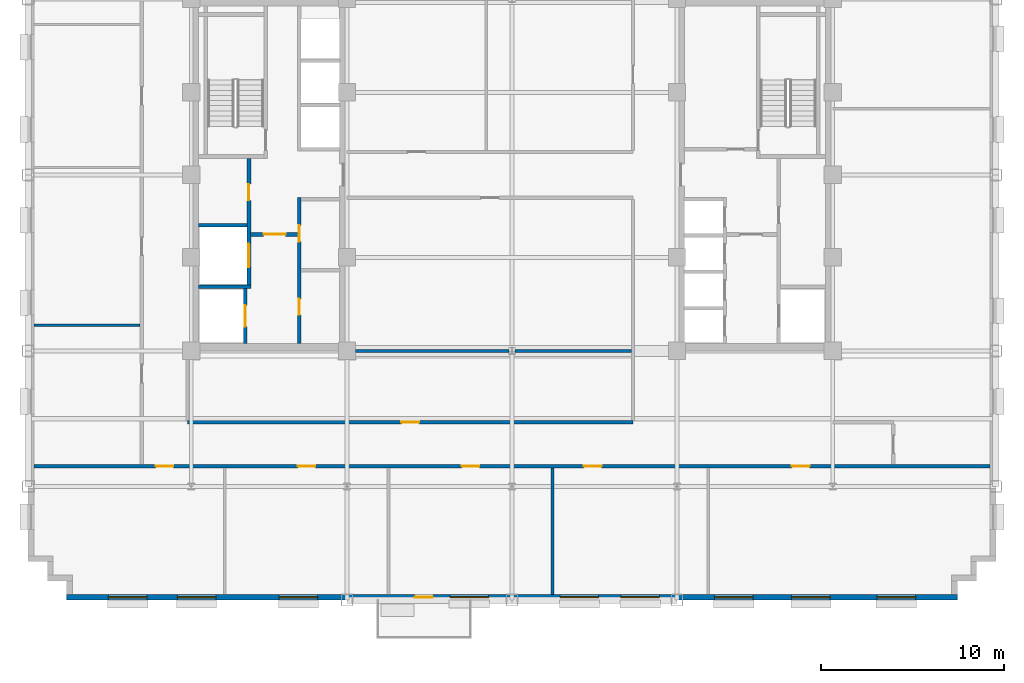
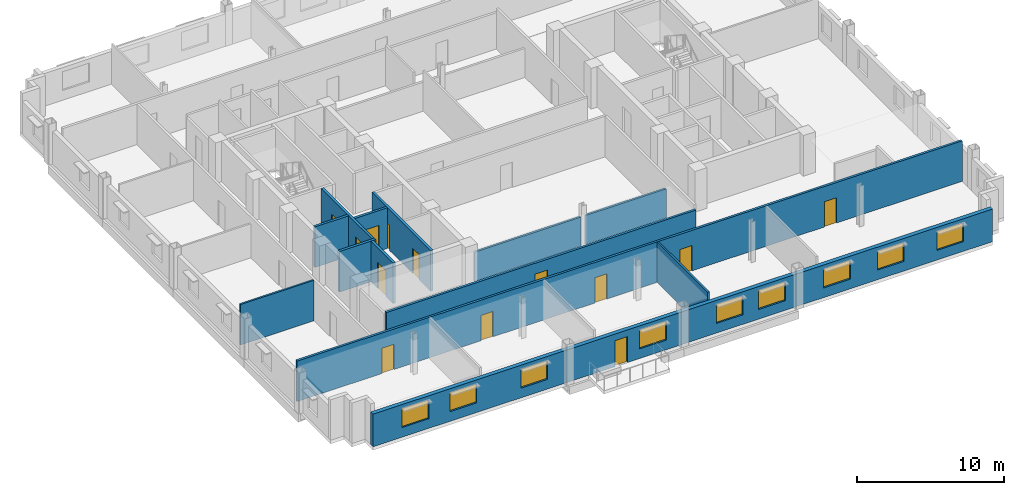
# One storey, part 6 of 14: 13 doors, 13 walls, 9 windows, 22 openings.
"""IFC4 building model written with IfcOpenShell, lengths in metres."""

from ifc_helpers import new_model, si_unit, direction, frame, frame_2d, origin, place, context, subcontext, project, spatial, rectangle, extrude, source, transform, mapped, material, layer, layer_set, type_object, type_shapes, element, fill, save


model = new_model("IFC4")

# Units and contexts
model_context = context("Model", 3, precision=1e-05, world=origin(), true_north=direction((0.0, 1.0)))
body_context = subcontext(model_context, "Body", "Model", "MODEL_VIEW")
ifc_project = project(units=[si_unit("LENGTHUNIT", "METRE"), si_unit("AREAUNIT", "SQUARE_METRE"), si_unit("VOLUMEUNIT", "CUBIC_METRE"), si_unit("PLANEANGLEUNIT", "RADIAN"), si_unit("MASSUNIT", "GRAM", prefix="KILO")], contexts=[model_context])

# Site, building, storey
site_placement = place(None, origin())
site = spatial("IfcSite", under=ifc_project, at=site_placement, CompositionType="ELEMENT")
building_placement = place(site_placement, origin())
building = spatial("IfcBuilding", under=site, at=building_placement, Name="Nuvemarco Arch Tower", CompositionType="ELEMENT")
storey_placement = place(building_placement, frame((0.0, 0.0, 160.35009765625)))
storey = spatial("IfcBuildingStorey", under=building, at=storey_placement, Name="L42", CompositionType="ELEMENT", Elevation=160.35009765625)

# Wall, openings, door, windows
ifc_material_1 = material(Name="Precast concrete C45/55", Category="concrete")
ifc_layer_1 = layer(ifc_material_1, 0.320068359375, Name="EW-MID-320")
ifc_layer_set_1 = layer_set([ifc_layer_1], Name="Precast concrete C45/55")
wall_type_1 = type_object("IfcWallType", Name="EW-MID-320", PredefinedType="STANDARD", material=ifc_layer_set_1)
wall_1_placement = place(storey_placement, frame((-24.300048828125, -23.0400390625, 0.0), z_axis=(0.0, 0.0, 1.0), x_axis=(1.0, 0.0, 0.0)))
wall_1 = element("IfcWall", 1, at=wall_1_placement, inside=storey, type_object=wall_type_1, Name="L42 exterior precast facade wall 1", PredefinedType="STANDARD", context=body_context, shape_type="SweptSolid", body=[
    extrude(rectangle(XDim=48.60009765625, YDim=0.320068359375, at=frame_2d((24.300048828125, 0.0))), origin(), (0.0, 0.0, 1.0), 2.704833984375),
])
opening_1_placement = place(wall_1_placement, frame((19.97998046875, 0.0, 0.0), z_axis=(0.0, 0.0, 1.0), x_axis=(-1.0, 0.0, 0.0)))
opening_1 = element("IfcOpeningElement", 2, at=opening_1_placement, cuts=wall_1, Name="Opening ED-6", PredefinedType="OPENING", context=body_context, shape_type="SweptSolid", body=[
    extrude(rectangle(XDim=0.97998046875, YDim=2.14990234375, at=frame_2d((0.489990234375, 1.074951171875))), frame((0.0, 0.169921875, 0.0), z_axis=(0.0, -1.0, 0.0), x_axis=(1.0, 0.0, 0.0)), (0.0, 0.0, 1.0), 0.340087890625),
])
opening_2_placement = place(wall_1_placement, frame((2.280029296875, 0.0, 0.800048828125)))
opening_2 = element("IfcOpeningElement", 3, at=opening_2_placement, cuts=wall_1, Name="Opening WN-5", PredefinedType="OPENING", context=body_context, shape_type="SweptSolid", body=[
    extrude(rectangle(XDim=2.10009765625, YDim=1.56005859375, at=frame_2d((1.050048828125, 0.780029296875))), frame((0.0, 0.169921875, 0.0), z_axis=(0.0, -1.0, 0.0), x_axis=(1.0, 0.0, 0.0)), (0.0, 0.0, 1.0), 0.340087890625),
])
opening_3_placement = place(wall_1_placement, frame((6.0400390625, 0.0, 0.800048828125)))
opening_3 = element("IfcOpeningElement", 4, at=opening_3_placement, cuts=wall_1, Name="Opening WN-5", PredefinedType="OPENING", context=body_context, shape_type="SweptSolid", body=[
    extrude(rectangle(XDim=2.10009765625, YDim=1.56005859375, at=frame_2d((1.050048828125, 0.780029296875))), frame((0.0, 0.169921875, 0.0), z_axis=(0.0, -1.0, 0.0), x_axis=(1.0, 0.0, 0.0)), (0.0, 0.0, 1.0), 0.340087890625),
])
opening_4_placement = place(wall_1_placement, frame((11.60009765625, 0.0, 0.800048828125)))
opening_4 = element("IfcOpeningElement", 5, at=opening_4_placement, cuts=wall_1, Name="Opening WN-5", PredefinedType="OPENING", context=body_context, shape_type="SweptSolid", body=[
    extrude(rectangle(XDim=2.10009765625, YDim=1.56005859375, at=frame_2d((1.050048828125, 0.780029296875))), frame((0.0, 0.169921875, 0.0), z_axis=(0.0, -1.0, 0.0), x_axis=(1.0, 0.0, 0.0)), (0.0, 0.0, 1.0), 0.340087890625),
])
opening_5_placement = place(wall_1_placement, frame((20.919921875, 0.0, 0.800048828125)))
opening_5 = element("IfcOpeningElement", 6, at=opening_5_placement, cuts=wall_1, Name="Opening WN-5", PredefinedType="OPENING", context=body_context, shape_type="SweptSolid", body=[
    extrude(rectangle(XDim=2.10009765625, YDim=1.56005859375, at=frame_2d((1.050048828125, 0.780029296875))), frame((0.0, 0.169921875, 0.0), z_axis=(0.0, -1.0, 0.0), x_axis=(1.0, 0.0, 0.0)), (0.0, 0.0, 1.0), 0.340087890625),
])
opening_6_placement = place(wall_1_placement, frame((26.929931640625, 0.0, 0.800048828125)))
opening_6 = element("IfcOpeningElement", 7, at=opening_6_placement, cuts=wall_1, Name="Opening WN-5", PredefinedType="OPENING", context=body_context, shape_type="SweptSolid", body=[
    extrude(rectangle(XDim=2.10009765625, YDim=1.56005859375, at=frame_2d((1.050048828125, 0.780029296875))), frame((0.0, 0.169921875, 0.0), z_axis=(0.0, -1.0, 0.0), x_axis=(1.0, 0.0, 0.0)), (0.0, 0.0, 1.0), 0.340087890625),
])
opening_7_placement = place(wall_1_placement, frame((30.239990234375, 0.0, 0.800048828125)))
opening_7 = element("IfcOpeningElement", 8, at=opening_7_placement, cuts=wall_1, Name="Opening WN-5", PredefinedType="OPENING", context=body_context, shape_type="SweptSolid", body=[
    extrude(rectangle(XDim=2.10009765625, YDim=1.56005859375, at=frame_2d((1.050048828125, 0.780029296875))), frame((0.0, 0.169921875, 0.0), z_axis=(0.0, -1.0, 0.0), x_axis=(1.0, 0.0, 0.0)), (0.0, 0.0, 1.0), 0.340087890625),
])
opening_8_placement = place(wall_1_placement, frame((35.35009765625, 0.0, 0.800048828125)))
opening_8 = element("IfcOpeningElement", 9, at=opening_8_placement, cuts=wall_1, Name="Opening WN-5", PredefinedType="OPENING", context=body_context, shape_type="SweptSolid", body=[
    extrude(rectangle(XDim=2.10009765625, YDim=1.56005859375, at=frame_2d((1.050048828125, 0.780029296875))), frame((0.0, 0.169921875, 0.0), z_axis=(0.0, -1.0, 0.0), x_axis=(1.0, 0.0, 0.0)), (0.0, 0.0, 1.0), 0.340087890625),
])
opening_9_placement = place(wall_1_placement, frame((39.56005859375, 0.0, 0.800048828125)))
opening_9 = element("IfcOpeningElement", 10, at=opening_9_placement, cuts=wall_1, Name="Opening WN-5", PredefinedType="OPENING", context=body_context, shape_type="SweptSolid", body=[
    extrude(rectangle(XDim=2.10009765625, YDim=1.56005859375, at=frame_2d((1.050048828125, 0.780029296875))), frame((0.0, 0.169921875, 0.0), z_axis=(0.0, -1.0, 0.0), x_axis=(1.0, 0.0, 0.0)), (0.0, 0.0, 1.0), 0.340087890625),
])
opening_10_placement = place(wall_1_placement, frame((44.219970703125, 0.0, 0.800048828125)))
opening_10 = element("IfcOpeningElement", 11, at=opening_10_placement, cuts=wall_1, Name="Opening WN-5", PredefinedType="OPENING", context=body_context, shape_type="SweptSolid", body=[
    extrude(rectangle(XDim=2.10009765625, YDim=1.56005859375, at=frame_2d((1.050048828125, 0.780029296875))), frame((0.0, 0.169921875, 0.0), z_axis=(0.0, -1.0, 0.0), x_axis=(1.0, 0.0, 0.0)), (0.0, 0.0, 1.0), 0.340087890625),
])
ifc_material_2 = material(Name="Anodised bronze and laminated glass", Category="glass")
door_type_1 = type_object("IfcDoorType", Name="DR-EXT-BALC", OperationType="NOTDEFINED", PredefinedType="DOOR", material=ifc_material_2)
shared_shape_1 = source(origin(), body_context, "Body", "SweptSolid", [
    extrude(rectangle(XDim=0.97998046875, YDim=2.14990234375, at=frame_2d((0.489990234375, 1.074951171875))), frame((0.0, 0.02490234375, 0.0), z_axis=(0.0, -1.0, 0.0), x_axis=(1.0, 0.0, 0.0)), (0.0, 0.0, 1.0), 0.050048828125),
])
type_shapes(door_type_1, [shared_shape_1])
door_1_placement = place(opening_1_placement, origin())
door_1 = element("IfcDoor", 12, at=door_1_placement, inside=storey, type_object=door_type_1, Name="L42 tree balcony access door", OperationType="SINGLE_SWING_RIGHT", OverallHeight=2.14990234375, OverallWidth=0.97998046875, PredefinedType="DOOR", context=body_context, shape_type="MappedRepresentation", body=[
    mapped(shared_shape_1, transform((0.0, 0.0, 0.0), scale=1.0)),
])
fill(opening_1, door_1)
ifc_material_3 = material(Name="Insulated solar-control glass", Category="glass")
window_type = type_object("IfcWindowType", Name="WN-MID-2100x1560", PartitioningType="DOUBLE_PANEL_VERTICAL", PredefinedType="WINDOW", material=ifc_material_3)
shared_shape_2 = source(origin(), body_context, "Body", "SweptSolid", [
    extrude(rectangle(XDim=2.10009765625, YDim=1.56005859375, at=frame_2d((1.050048828125, 0.780029296875))), frame((0.0, 0.030029296875, 0.0), z_axis=(0.0, -1.0, 0.0), x_axis=(1.0, 0.0, 0.0)), (0.0, 0.0, 1.0), 0.06005859375),
])
type_shapes(window_type, [shared_shape_2])
window_1_placement = place(opening_2_placement, origin())
window_1 = element("IfcWindow", 13, at=window_1_placement, inside=storey, type_object=window_type, Name="L42 punched facade window 1", OverallHeight=1.56005859375, OverallWidth=2.10009765625, PartitioningType="SINGLE_PANEL", PredefinedType="WINDOW", context=body_context, shape_type="MappedRepresentation", body=[
    mapped(shared_shape_2, transform((0.0, 0.0, 0.0), scale=1.0)),
])
fill(opening_2, window_1)
window_2_placement = place(opening_3_placement, origin())
window_2 = element("IfcWindow", 14, at=window_2_placement, inside=storey, type_object=window_type, Name="L42 punched facade window 2", OverallHeight=1.56005859375, OverallWidth=2.10009765625, PartitioningType="SINGLE_PANEL", PredefinedType="WINDOW", context=body_context, shape_type="MappedRepresentation", body=[
    mapped(shared_shape_2, transform((0.0, 0.0, 0.0), scale=1.0)),
])
fill(opening_3, window_2)
window_3_placement = place(opening_4_placement, origin())
window_3 = element("IfcWindow", 15, at=window_3_placement, inside=storey, type_object=window_type, Name="L42 punched facade window 3", OverallHeight=1.56005859375, OverallWidth=2.10009765625, PartitioningType="SINGLE_PANEL", PredefinedType="WINDOW", context=body_context, shape_type="MappedRepresentation", body=[
    mapped(shared_shape_2, transform((0.0, 0.0, 0.0), scale=1.0)),
])
fill(opening_4, window_3)
window_4_placement = place(opening_5_placement, origin())
window_4 = element("IfcWindow", 16, at=window_4_placement, inside=storey, type_object=window_type, Name="L42 punched facade window 5", OverallHeight=1.56005859375, OverallWidth=2.10009765625, PartitioningType="SINGLE_PANEL", PredefinedType="WINDOW", context=body_context, shape_type="MappedRepresentation", body=[
    mapped(shared_shape_2, transform((0.0, 0.0, 0.0), scale=1.0)),
])
fill(opening_5, window_4)
window_5_placement = place(opening_6_placement, origin())
window_5 = element("IfcWindow", 17, at=window_5_placement, inside=storey, type_object=window_type, Name="L42 punched facade window 6", OverallHeight=1.56005859375, OverallWidth=2.10009765625, PartitioningType="SINGLE_PANEL", PredefinedType="WINDOW", context=body_context, shape_type="MappedRepresentation", body=[
    mapped(shared_shape_2, transform((0.0, 0.0, 0.0), scale=1.0)),
])
fill(opening_6, window_5)
window_6_placement = place(opening_7_placement, origin())
window_6 = element("IfcWindow", 18, at=window_6_placement, inside=storey, type_object=window_type, Name="L42 punched facade window 7", OverallHeight=1.56005859375, OverallWidth=2.10009765625, PartitioningType="SINGLE_PANEL", PredefinedType="WINDOW", context=body_context, shape_type="MappedRepresentation", body=[
    mapped(shared_shape_2, transform((0.0, 0.0, 0.0), scale=1.0)),
])
fill(opening_7, window_6)
window_7_placement = place(opening_8_placement, origin())
window_7 = element("IfcWindow", 19, at=window_7_placement, inside=storey, type_object=window_type, Name="L42 punched facade window 8", OverallHeight=1.56005859375, OverallWidth=2.10009765625, PartitioningType="SINGLE_PANEL", PredefinedType="WINDOW", context=body_context, shape_type="MappedRepresentation", body=[
    mapped(shared_shape_2, transform((0.0, 0.0, 0.0), scale=1.0)),
])
fill(opening_8, window_7)
window_8_placement = place(opening_9_placement, origin())
window_8 = element("IfcWindow", 20, at=window_8_placement, inside=storey, type_object=window_type, Name="L42 punched facade window 9", OverallHeight=1.56005859375, OverallWidth=2.10009765625, PartitioningType="SINGLE_PANEL", PredefinedType="WINDOW", context=body_context, shape_type="MappedRepresentation", body=[
    mapped(shared_shape_2, transform((0.0, 0.0, 0.0), scale=1.0)),
])
fill(opening_9, window_8)
window_9_placement = place(opening_10_placement, origin())
window_9 = element("IfcWindow", 21, at=window_9_placement, inside=storey, type_object=window_type, Name="L42 punched facade window 10", OverallHeight=1.56005859375, OverallWidth=2.10009765625, PartitioningType="SINGLE_PANEL", PredefinedType="WINDOW", context=body_context, shape_type="MappedRepresentation", body=[
    mapped(shared_shape_2, transform((0.0, 0.0, 0.0), scale=1.0)),
])
fill(opening_10, window_9)

# Wall, openings, doors
ifc_material_4 = material(Name="Fire-rated gypsum drywall partition")
ifc_layer_2 = layer(ifc_material_4, 0.179931640625, Name="WL-CORR-180")
ifc_layer_set_2 = layer_set([ifc_layer_2], Name="Fire-rated gypsum drywall partition")
wall_type_2 = type_object("IfcWallType", Name="WL-CORR-180", PredefinedType="PARTITIONING", material=ifc_layer_set_2)
wall_2_placement = place(storey_placement, frame((-26.080078125, -15.89990234375, 0.0), z_axis=(0.0, 0.0, 1.0), x_axis=(1.0, 0.0, 0.0)))
wall_2 = element("IfcWall", 22, at=wall_2_placement, inside=storey, type_object=wall_type_2, Name="L42 interior wall IW-L42-001", PredefinedType="PARTITIONING", context=body_context, shape_type="SweptSolid", body=[
    extrude(rectangle(XDim=52.16015625, YDim=0.179931640625, at=frame_2d((26.080078125, 0.0))), origin(), (0.0, 0.0, 1.0), 3.35986328125),
])
opening_11_placement = place(wall_2_placement, frame((41.35009765625, 0.0, 0.0)))
opening_11 = element("IfcOpeningElement", 23, at=opening_11_placement, cuts=wall_2, Name="Opening FD-5", PredefinedType="OPENING", context=body_context, shape_type="SweptSolid", body=[
    extrude(rectangle(XDim=0.9599609375, YDim=2.10009765625, at=frame_2d((0.47998046875, 1.050048828125))), frame((0.0, 0.099853515625, 0.0), z_axis=(0.0, -1.0, 0.0), x_axis=(1.0, 0.0, 0.0)), (0.0, 0.0, 1.0), 0.199951171875),
])
opening_12_placement = place(wall_2_placement, frame((23.340087890625, 0.0, 0.0)))
opening_12 = element("IfcOpeningElement", 24, at=opening_12_placement, cuts=wall_2, Name="Opening FD-5", PredefinedType="OPENING", context=body_context, shape_type="SweptSolid", body=[
    extrude(rectangle(XDim=0.9599609375, YDim=2.10009765625, at=frame_2d((0.47998046875, 1.050048828125))), frame((0.0, 0.099853515625, 0.0), z_axis=(0.0, -1.0, 0.0), x_axis=(1.0, 0.0, 0.0)), (0.0, 0.0, 1.0), 0.199951171875),
])
opening_13_placement = place(wall_2_placement, frame((14.39990234375, 0.0, 0.0)))
opening_13 = element("IfcOpeningElement", 25, at=opening_13_placement, cuts=wall_2, Name="Opening FD-5", PredefinedType="OPENING", context=body_context, shape_type="SweptSolid", body=[
    extrude(rectangle(XDim=0.9599609375, YDim=2.10009765625, at=frame_2d((0.47998046875, 1.050048828125))), frame((0.0, 0.099853515625, 0.0), z_axis=(0.0, -1.0, 0.0), x_axis=(1.0, 0.0, 0.0)), (0.0, 0.0, 1.0), 0.199951171875),
])
opening_14_placement = place(wall_2_placement, frame((30.0048828125, 0.0, 0.0)))
opening_14 = element("IfcOpeningElement", 26, at=opening_14_placement, cuts=wall_2, Name="Opening FD-5", PredefinedType="OPENING", context=body_context, shape_type="SweptSolid", body=[
    extrude(rectangle(XDim=0.9599609375, YDim=2.10009765625, at=frame_2d((0.47998046875, 1.050048828125))), frame((0.0, 0.099853515625, 0.0), z_axis=(0.0, -1.0, 0.0), x_axis=(1.0, 0.0, 0.0)), (0.0, 0.0, 1.0), 0.199951171875),
])
opening_15_placement = place(wall_2_placement, frame((6.64990234375, 0.0, 0.0)))
opening_15 = element("IfcOpeningElement", 27, at=opening_15_placement, cuts=wall_2, Name="Opening FD-5", PredefinedType="OPENING", context=body_context, shape_type="SweptSolid", body=[
    extrude(rectangle(XDim=0.9599609375, YDim=2.10009765625, at=frame_2d((0.47998046875, 1.050048828125))), frame((0.0, 0.099853515625, 0.0), z_axis=(0.0, -1.0, 0.0), x_axis=(1.0, 0.0, 0.0)), (0.0, 0.0, 1.0), 0.199951171875),
])
ifc_material_5 = material(Name="Timber fire door", Category="wood")
door_type_2 = type_object("IfcDoorType", Name="DR-CORR-FD", OperationType="NOTDEFINED", PredefinedType="DOOR", material=ifc_material_5)
shared_shape_3 = source(origin(), body_context, "Body", "SweptSolid", [
    extrude(rectangle(XDim=0.9599609375, YDim=2.10009765625, at=frame_2d((0.47998046875, 1.050048828125))), frame((0.0, 0.02490234375, 0.0), z_axis=(0.0, -1.0, 0.0), x_axis=(1.0, 0.0, 0.0)), (0.0, 0.0, 1.0), 0.050048828125),
])
type_shapes(door_type_2, [shared_shape_3])
door_2_placement = place(opening_11_placement, origin())
door_2 = element("IfcDoor", 28, at=door_2_placement, inside=storey, type_object=door_type_2, Name="L42 door DR-L42-S_5", OperationType="SINGLE_SWING_RIGHT", OverallHeight=2.10009765625, OverallWidth=0.9599609375, PredefinedType="DOOR", context=body_context, shape_type="MappedRepresentation", body=[
    mapped(shared_shape_3, transform((0.0, 0.0, 0.0), scale=1.0)),
])
fill(opening_11, door_2)
door_3_placement = place(opening_12_placement, origin())
door_3 = element("IfcDoor", 29, at=door_3_placement, inside=storey, type_object=door_type_2, Name="L42 door DR-L42-S_3", OperationType="SINGLE_SWING_LEFT", OverallHeight=2.10009765625, OverallWidth=0.9599609375, PredefinedType="DOOR", context=body_context, shape_type="MappedRepresentation", body=[
    mapped(shared_shape_3, transform((0.0, 0.0, 0.0), scale=1.0)),
])
fill(opening_12, door_3)
door_4_placement = place(opening_13_placement, origin())
door_4 = element("IfcDoor", 30, at=door_4_placement, inside=storey, type_object=door_type_2, Name="L42 door DR-L42-S_2", OperationType="SINGLE_SWING_RIGHT", OverallHeight=2.10009765625, OverallWidth=0.9599609375, PredefinedType="DOOR", context=body_context, shape_type="MappedRepresentation", body=[
    mapped(shared_shape_3, transform((0.0, 0.0, 0.0), scale=1.0)),
])
fill(opening_13, door_4)
door_5_placement = place(opening_14_placement, origin())
door_5 = element("IfcDoor", 31, at=door_5_placement, inside=storey, type_object=door_type_2, Name="L42 door DR-L42-S_4", OperationType="SINGLE_SWING_LEFT", OverallHeight=2.10009765625, OverallWidth=0.9599609375, PredefinedType="DOOR", context=body_context, shape_type="MappedRepresentation", body=[
    mapped(shared_shape_3, transform((0.0, 0.0, 0.0), scale=1.0)),
])
fill(opening_14, door_5)
door_6_placement = place(opening_15_placement, origin())
door_6 = element("IfcDoor", 32, at=door_6_placement, inside=storey, type_object=door_type_2, Name="L42 door DR-L42-S_1", OperationType="SINGLE_SWING_RIGHT", OverallHeight=2.10009765625, OverallWidth=0.9599609375, PredefinedType="DOOR", context=body_context, shape_type="MappedRepresentation", body=[
    mapped(shared_shape_3, transform((0.0, 0.0, 0.0), scale=1.0)),
])
fill(opening_15, door_6)

# Wall, opening, door
wall_3_placement = place(storey_placement, frame((-17.699951171875, -13.5, 0.0), z_axis=(0.0, 0.0, 1.0), x_axis=(1.0, 0.0, 0.0)))
wall_3 = element("IfcWall", 33, at=wall_3_placement, inside=storey, type_object=wall_type_2, Name="L42 interior wall IW-L42-002", PredefinedType="PARTITIONING", context=body_context, shape_type="SweptSolid", body=[
    extrude(rectangle(XDim=24.300048828125, YDim=0.179931640625, at=frame_2d((12.14990234375, 0.0))), origin(), (0.0, 0.0, 1.0), 2.997802734375),
])
opening_16_placement = place(wall_3_placement, frame((11.669921875, 0.0, 0.0)))
opening_16 = element("IfcOpeningElement", 34, at=opening_16_placement, cuts=wall_3, Name="Opening FD-5", PredefinedType="OPENING", context=body_context, shape_type="SweptSolid", body=[
    extrude(rectangle(XDim=0.9599609375, YDim=2.10009765625, at=frame_2d((0.47998046875, 1.050048828125))), frame((0.0, 0.099853515625, 0.0), z_axis=(0.0, -1.0, 0.0), x_axis=(1.0, 0.0, 0.0)), (0.0, 0.0, 1.0), 0.199951171875),
])
door_7_placement = place(opening_16_placement, origin())
door_7 = element("IfcDoor", 35, at=door_7_placement, inside=storey, type_object=door_type_2, Name="L42 door DR-L42-IN_S1", OperationType="SINGLE_SWING_LEFT", OverallHeight=2.10009765625, OverallWidth=0.9599609375, PredefinedType="DOOR", context=body_context, shape_type="MappedRepresentation", body=[
    mapped(shared_shape_3, transform((0.0, 0.0, 0.0), scale=1.0)),
])
fill(opening_16, door_7)

# Walls
ifc_material_6 = material(Name="Gypsum plasterboard partition")
ifc_layer_3 = layer(ifc_material_6, 0.139892578125, Name="WL-ROOM-140")
ifc_layer_set_3 = layer_set([ifc_layer_3], Name="Gypsum plasterboard partition")
wall_type_3 = type_object("IfcWallType", Name="WL-ROOM-140", PredefinedType="PARTITIONING", material=ifc_layer_set_3)
wall_4_placement = place(storey_placement, frame((-26.080078125, -8.199951171875, 0.0), z_axis=(0.0, 0.0, 1.0), x_axis=(1.0, 0.0, 0.0)))
element("IfcWall", 36, at=wall_4_placement, inside=storey, type_object=wall_type_3, Name="L42 interior wall IW-L42-006", PredefinedType="PARTITIONING", context=body_context, shape_type="SweptSolid", body=[
    extrude(rectangle(XDim=5.794189453125, YDim=0.139892578125, at=frame_2d((2.89697265625, 0.0))), origin(), (0.0, 0.0, 1.0), 3.35986328125),
])
wall_5_placement = place(storey_placement, frame((2.2099609375, -22.8798828125, 0.0), z_axis=(0.0, 0.0, 1.0), x_axis=(0.0, 1.0, 0.0)))
element("IfcWall", 37, at=wall_5_placement, inside=storey, type_object=wall_type_3, Name="L42 interior wall IW-L42-029", PredefinedType="PARTITIONING", context=body_context, shape_type="SweptSolid", body=[
    extrude(rectangle(XDim=6.893798828125, YDim=0.139892578125, at=frame_2d((3.44677734375, 0.0))), origin(), (0.0, 0.0, 1.0), 3.35986328125),
])

# Wall, opening, door
ifc_material_7 = material(Name="Concrete C50/60", Category="concrete")
ifc_layer_4 = layer(ifc_material_7, 0.199951171875, Name="WL-SHAFT-220")
ifc_layer_set_4 = layer_set([ifc_layer_4], Name="Concrete C50/60")
wall_type_4 = type_object("IfcWallType", Name="WL-SHAFT-220", PredefinedType="SHEAR", material=ifc_layer_set_4)
wall_6_placement = place(storey_placement, frame((-14.550048828125, -9.205078125, 0.0), z_axis=(0.0, 0.0, 1.0), x_axis=(0.0, 1.0, 0.0)))
wall_6 = element("IfcWall", 38, at=wall_6_placement, inside=storey, type_object=wall_type_4, Name="L42 structural shaft wall SW-L42-W-SHE", PredefinedType="SHEAR", context=body_context, shape_type="SweptSolid", body=[
    extrude(rectangle(XDim=3.010009765625, YDim=0.199951171875, at=frame_2d((1.5048828125, 0.0))), origin(), (0.0, 0.0, 1.0), 3.369873046875),
])
opening_17_placement = place(wall_6_placement, frame((0.929931640625, 0.0, 0.0)))
opening_17 = element("IfcOpeningElement", 39, at=opening_17_placement, cuts=wall_6, Name="Opening LD-2", PredefinedType="OPENING", context=body_context, shape_type="SweptSolid", body=[
    extrude(rectangle(XDim=1.14990234375, YDim=2.14990234375, at=frame_2d((0.574951171875, 1.074951171875))), frame((0.0, 0.10986328125, 0.0), z_axis=(0.0, -1.0, 0.0), x_axis=(1.0, 0.0, 0.0)), (0.0, 0.0, 1.0), 0.219970703125),
])
ifc_material_8 = material(Name="Stainless steel lift door", Category="steel")
door_type_3 = type_object("IfcDoorType", Name="DR-LIFT-FIRE", OperationType="DOUBLE_DOOR_SLIDING", PredefinedType="DOOR", material=ifc_material_8)
shared_shape_4 = source(origin(), body_context, "Body", "SweptSolid", [
    extrude(rectangle(XDim=1.14990234375, YDim=2.14990234375, at=frame_2d((0.574951171875, 1.074951171875))), frame((0.0, 0.02490234375, 0.0), z_axis=(0.0, -1.0, 0.0), x_axis=(1.0, 0.0, 0.0)), (0.0, 0.0, 1.0), 0.050048828125),
])
type_shapes(door_type_3, [shared_shape_4])
door_8_placement = place(opening_17_placement, origin())
door_8 = element("IfcDoor", 40, at=door_8_placement, inside=storey, type_object=door_type_3, Name="L42 Lift landing sliding door FFL-1", OperationType="DOUBLE_DOOR_SLIDING", OverallHeight=2.14990234375, OverallWidth=1.14990234375, PredefinedType="DOOR", context=body_context, shape_type="MappedRepresentation", body=[
    mapped(shared_shape_4, transform((0.0, 0.0, 0.0), scale=1.0)),
])
fill(opening_17, door_8)

# Wall, openings, doors
wall_7_placement = place(storey_placement, frame((-14.35009765625, -6.199951171875, 0.0), z_axis=(0.0, 0.0, 1.0), x_axis=(0.0, 1.0, 0.0)))
wall_7 = element("IfcWall", 41, at=wall_7_placement, inside=storey, type_object=wall_type_4, Name="L42 structural shaft wall SW-L42-W-SVE", PredefinedType="SHEAR", context=body_context, shape_type="SweptSolid", body=[
    extrude(rectangle(XDim=7.10498046875, YDim=0.199951171875, at=frame_2d((3.552490234375, 0.0))), origin(), (0.0, 0.0, 1.0), 3.369873046875),
])
opening_18_placement = place(wall_7_placement, frame((5.68994140625, 0.0, 0.0), z_axis=(0.0, 0.0, 1.0), x_axis=(-1.0, 0.0, 0.0)))
opening_18 = element("IfcOpeningElement", 42, at=opening_18_placement, cuts=wall_7, Name="Opening FD-4", PredefinedType="OPENING", context=body_context, shape_type="SweptSolid", body=[
    extrude(rectangle(XDim=0.8798828125, YDim=2.10009765625, at=frame_2d((0.43994140625, 1.050048828125))), frame((0.0, 0.10986328125, 0.0), z_axis=(0.0, -1.0, 0.0), x_axis=(1.0, 0.0, 0.0)), (0.0, 0.0, 1.0), 0.219970703125),
])
opening_19_placement = place(wall_7_placement, frame((1.14990234375, 0.0, 0.0)))
opening_19 = element("IfcOpeningElement", 43, at=opening_19_placement, cuts=wall_7, Name="Opening LD-3", PredefinedType="OPENING", context=body_context, shape_type="SweptSolid", body=[
    extrude(rectangle(XDim=1.300048828125, YDim=2.199951171875, at=frame_2d((0.64990234375, 1.10009765625))), frame((0.0, 0.10986328125, 0.0), z_axis=(0.0, -1.0, 0.0), x_axis=(1.0, 0.0, 0.0)), (0.0, 0.0, 1.0), 0.219970703125),
])
ifc_material_9 = material(Name="Anodised steel fire door", Category="steel")
door_type_4 = type_object("IfcDoorType", Name="DR-RISER-FD", OperationType="NOTDEFINED", PredefinedType="DOOR", material=ifc_material_9)
shared_shape_5 = source(origin(), body_context, "Body", "SweptSolid", [
    extrude(rectangle(XDim=0.8798828125, YDim=2.10009765625, at=frame_2d((0.43994140625, 1.050048828125))), frame((0.0, 0.02490234375, 0.0), z_axis=(0.0, -1.0, 0.0), x_axis=(1.0, 0.0, 0.0)), (0.0, 0.0, 1.0), 0.050048828125),
])
type_shapes(door_type_4, [shared_shape_5])
door_9_placement = place(opening_18_placement, origin())
door_9 = element("IfcDoor", 44, at=door_9_placement, inside=storey, type_object=door_type_4, Name="L42 door FD-L42-WRIS", OperationType="SINGLE_SWING_RIGHT", OverallHeight=2.10009765625, OverallWidth=0.8798828125, PredefinedType="DOOR", context=body_context, shape_type="MappedRepresentation", body=[
    mapped(shared_shape_5, transform((0.0, 0.0, 0.0), scale=1.0)),
])
fill(opening_18, door_9)
door_type_5 = type_object("IfcDoorType", Name="DR-LIFT-SERV", OperationType="DOUBLE_DOOR_SLIDING", PredefinedType="DOOR", material=ifc_material_8)
shared_shape_6 = source(origin(), body_context, "Body", "SweptSolid", [
    extrude(rectangle(XDim=1.300048828125, YDim=2.199951171875, at=frame_2d((0.64990234375, 1.10009765625))), frame((0.0, 0.02490234375, 0.0), z_axis=(0.0, -1.0, 0.0), x_axis=(1.0, 0.0, 0.0)), (0.0, 0.0, 1.0), 0.050048828125),
])
type_shapes(door_type_5, [shared_shape_6])
door_10_placement = place(opening_19_placement, origin())
door_10 = element("IfcDoor", 45, at=door_10_placement, inside=storey, type_object=door_type_5, Name="L42 Lift landing sliding door SVL-1", OperationType="DOUBLE_DOOR_SLIDING", OverallHeight=2.199951171875, OverallWidth=1.300048828125, PredefinedType="DOOR", context=body_context, shape_type="MappedRepresentation", body=[
    mapped(shared_shape_6, transform((0.0, 0.0, 0.0), scale=1.0)),
])
fill(opening_19, door_10)

# Walls
wall_8_placement = place(storey_placement, frame((-17.10498046875, -6.10009765625, 0.0), z_axis=(0.0, 0.0, 1.0), x_axis=(1.0, 0.0, 0.0)))
element("IfcWall", 46, at=wall_8_placement, inside=storey, type_object=wall_type_4, Name="L42 structural shaft wall SW-L42-W-SH1", PredefinedType="SHEAR", context=body_context, shape_type="SweptSolid", body=[
    extrude(rectangle(XDim=2.85498046875, YDim=0.199951171875, at=frame_2d((1.427490234375, 0.0))), origin(), (0.0, 0.0, 1.0), 3.369873046875),
])
wall_9_placement = place(storey_placement, frame((-17.10498046875, -2.75, 0.0), z_axis=(0.0, 0.0, 1.0), x_axis=(1.0, 0.0, 0.0)))
element("IfcWall", 47, at=wall_9_placement, inside=storey, type_object=wall_type_4, Name="L42 structural shaft wall SW-L42-W-SH2", PredefinedType="SHEAR", context=body_context, shape_type="SweptSolid", body=[
    extrude(rectangle(XDim=2.659912109375, YDim=0.199951171875, at=frame_2d((1.330078125, 0.0))), origin(), (0.0, 0.0, 1.0), 3.369873046875),
])

# Wall, openings, doors
wall_10_placement = place(storey_placement, frame((-11.60009765625, -9.205078125, 0.0), z_axis=(0.0, 0.0, 1.0), x_axis=(0.0, 1.0, 0.0)))
wall_10 = element("IfcWall", 48, at=wall_10_placement, inside=storey, type_object=wall_type_4, Name="L42 structural shaft wall SW-L42-W-PLW", PredefinedType="SHEAR", context=body_context, shape_type="SweptSolid", body=[
    extrude(rectangle(XDim=7.97509765625, YDim=0.199951171875, at=frame_2d((3.987548828125, 0.0))), origin(), (0.0, 0.0, 1.0), 3.369873046875),
])
opening_20_placement = place(wall_10_placement, frame((1.56494140625, 0.0, 0.0)))
opening_20 = element("IfcOpeningElement", 49, at=opening_20_placement, cuts=wall_10, Name="Opening FD-4", PredefinedType="OPENING", context=body_context, shape_type="SweptSolid", body=[
    extrude(rectangle(XDim=0.8798828125, YDim=2.10009765625, at=frame_2d((0.43994140625, 1.050048828125))), frame((0.0, 0.10986328125, 0.0), z_axis=(0.0, -1.0, 0.0), x_axis=(1.0, 0.0, 0.0)), (0.0, 0.0, 1.0), 0.219970703125),
])
opening_21_placement = place(wall_10_placement, frame((5.56494140625, 0.0, 0.0)))
opening_21 = element("IfcOpeningElement", 50, at=opening_21_placement, cuts=wall_10, Name="Opening FD-4", PredefinedType="OPENING", context=body_context, shape_type="SweptSolid", body=[
    extrude(rectangle(XDim=0.8798828125, YDim=2.10009765625, at=frame_2d((0.43994140625, 1.050048828125))), frame((0.0, 0.10986328125, 0.0), z_axis=(0.0, -1.0, 0.0), x_axis=(1.0, 0.0, 0.0)), (0.0, 0.0, 1.0), 0.219970703125),
])
door_11_placement = place(opening_20_placement, origin())
door_11 = element("IfcDoor", 51, at=door_11_placement, inside=storey, type_object=door_type_4, Name="L42 door FD-L42-WREC1", OperationType="SINGLE_SWING_RIGHT", OverallHeight=2.10009765625, OverallWidth=0.8798828125, PredefinedType="DOOR", context=body_context, shape_type="MappedRepresentation", body=[
    mapped(shared_shape_5, transform((0.0, 0.0, 0.0), scale=1.0)),
])
fill(opening_20, door_11)
door_12_placement = place(opening_21_placement, origin())
door_12 = element("IfcDoor", 52, at=door_12_placement, inside=storey, type_object=door_type_4, Name="L42 door FD-L42-WREC2", OperationType="SINGLE_SWING_LEFT", OverallHeight=2.10009765625, OverallWidth=0.8798828125, PredefinedType="DOOR", context=body_context, shape_type="MappedRepresentation", body=[
    mapped(shared_shape_5, transform((0.0, 0.0, 0.0), scale=1.0)),
])
fill(opening_21, door_12)

# Wall, opening, door
wall_11_placement = place(storey_placement, frame((-14.2548828125, -3.25, 0.0), z_axis=(0.0, 0.0, 1.0), x_axis=(1.0, 0.0, 0.0)))
wall_11 = element("IfcWall", 53, at=wall_11_placement, inside=storey, type_object=wall_type_4, Name="L42 structural shaft wall SW-L42-W-FFN", PredefinedType="SHEAR", context=body_context, shape_type="SweptSolid", body=[
    extrude(rectangle(XDim=2.559814453125, YDim=0.199951171875, at=frame_2d((1.27978515625, 0.0))), origin(), (0.0, 0.0, 1.0), 3.369873046875),
])
opening_22_placement = place(wall_11_placement, frame((0.705078125, 0.0, 0.0)))
opening_22 = element("IfcOpeningElement", 54, at=opening_22_placement, cuts=wall_11, Name="Opening FD-2", PredefinedType="OPENING", context=body_context, shape_type="SweptSolid", body=[
    extrude(rectangle(XDim=1.199951171875, YDim=2.14990234375, at=frame_2d((0.60009765625, 1.074951171875))), frame((0.0, 0.10986328125, 0.0), z_axis=(0.0, -1.0, 0.0), x_axis=(1.0, 0.0, 0.0)), (0.0, 0.0, 1.0), 0.219970703125),
])
door_type_6 = type_object("IfcDoorType", Name="DR-FFLOB-FD", OperationType="NOTDEFINED", PredefinedType="DOOR", material=ifc_material_9)
shared_shape_7 = source(origin(), body_context, "Body", "SweptSolid", [
    extrude(rectangle(XDim=1.199951171875, YDim=2.14990234375, at=frame_2d((0.60009765625, 1.074951171875))), frame((0.0, 0.02490234375, 0.0), z_axis=(0.0, -1.0, 0.0), x_axis=(1.0, 0.0, 0.0)), (0.0, 0.0, 1.0), 0.050048828125),
])
type_shapes(door_type_6, [shared_shape_7])
door_13_placement = place(opening_22_placement, origin())
door_13 = element("IfcDoor", 55, at=door_13_placement, inside=storey, type_object=door_type_6, Name="L42 door FD-L42-WFF1", OperationType="SINGLE_SWING_RIGHT", OverallHeight=2.14990234375, OverallWidth=1.199951171875, PredefinedType="DOOR", context=body_context, shape_type="MappedRepresentation", body=[
    mapped(shared_shape_7, transform((0.0, 0.0, 0.0), scale=1.0)),
])
fill(opening_22, door_13)

# Walls
ifc_material_10 = material(Name="Acoustic gypsum drywall partition")
ifc_layer_5 = layer(ifc_material_10, 0.159912109375, Name="WL-TENANT-160")
ifc_layer_set_5 = layer_set([ifc_layer_5], Name="Acoustic gypsum drywall partition")
wall_type_5 = type_object("IfcWallType", Name="WL-TENANT-160", PredefinedType="PARTITIONING", material=ifc_layer_set_5)
wall_12_placement = place(storey_placement, frame((-8.529052734375, -9.60009765625, 0.0), z_axis=(0.0, 0.0, 1.0), x_axis=(1.0, 0.0, 0.0)))
element("IfcWall", 56, at=wall_12_placement, inside=storey, type_object=wall_type_5, Name="L42 interior wall IW-L42-004", PredefinedType="PARTITIONING", context=body_context, shape_type="SweptSolid", body=[
    extrude(rectangle(XDim=8.35302734375, YDim=0.159912109375, at=frame_2d((4.176513671875, 0.0))), origin(), (0.0, 0.0, 1.0), 2.40478515625),
])
wall_13_placement = place(storey_placement, frame((0.176025390625, -9.60009765625, 0.0), z_axis=(0.0, 0.0, 1.0), x_axis=(1.0, 0.0, 0.0)))
element("IfcWall", 57, at=wall_13_placement, inside=storey, type_object=wall_type_5, Name="L42 interior wall IW-L42-005", PredefinedType="PARTITIONING", context=body_context, shape_type="SweptSolid", body=[
    extrude(rectangle(XDim=6.337890625, YDim=0.159912109375, at=frame_2d((3.1689453125, 0.0))), origin(), (0.0, 0.0, 1.0), 2.40478515625),
])

save(model, "model.ifc")
